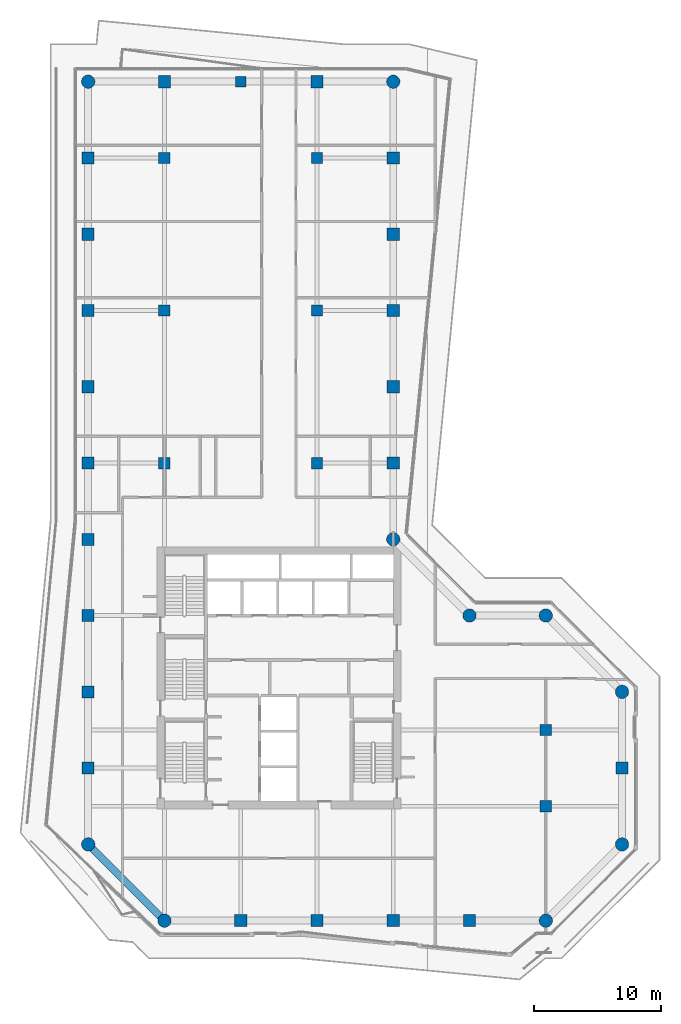
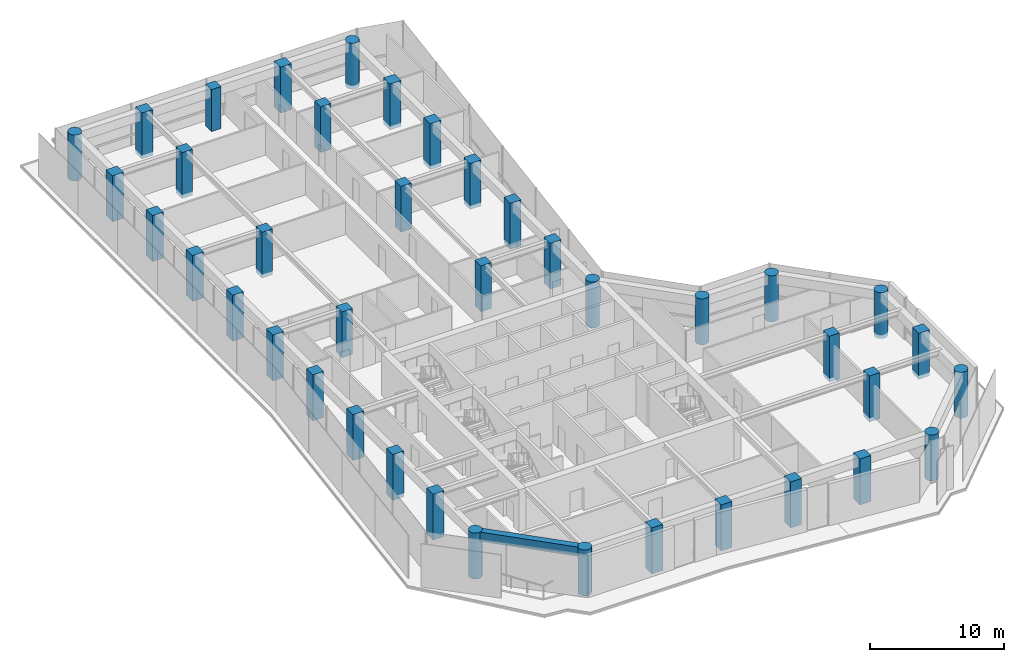
# One storey, part 1 of 23: 40 columns, 1 beam.
"""IFC4 building model written with IfcOpenShell, lengths in metres."""

from ifc_helpers import new_model, si_unit, direction, frame, origin, origin_2d, place, context, subcontext, project, spatial, rectangle, circle, extrude, material, material_profile, profile_set, type_object, element, save


model = new_model("IFC4")

# Units and contexts
model_context = context("Model", 3, precision=1e-05, world=origin(), true_north=direction((0.0, 1.0)))
body_context = subcontext(model_context, "Body", "Model", "MODEL_VIEW")
ifc_project = project(units=[si_unit("LENGTHUNIT", "METRE"), si_unit("AREAUNIT", "SQUARE_METRE"), si_unit("VOLUMEUNIT", "CUBIC_METRE"), si_unit("PLANEANGLEUNIT", "RADIAN"), si_unit("MASSUNIT", "GRAM", prefix="KILO")], contexts=[model_context])

# Site, building, storey
site_placement = place(None, origin())
site = spatial("IfcSite", under=ifc_project, at=site_placement, CompositionType="ELEMENT")
building_placement = place(site_placement, origin())
building = spatial("IfcBuilding", under=site, at=building_placement, Name="Welwitschia Terrace Campus", CompositionType="ELEMENT")
storey_placement = place(building_placement, frame((0.0, 0.0, 146.60009765625)))
storey = spatial("IfcBuildingStorey", under=building, at=storey_placement, Name="L32", CompositionType="ELEMENT", Elevation=146.60009765625)

# Columns
ifc_material_1 = material(Name="Concrete C50/60", Category="concrete")
ifc_material_profile_1 = material_profile(ifc_material_1, circle(Radius=0.52490234375, at=origin_2d()))
ifc_profile_set_1 = profile_set([ifc_material_profile_1], Name="Concrete C50/60")
column_type_1 = type_object("IfcColumnType", Name="Corner column 1050 dia on truss", PredefinedType="COLUMN", material=ifc_profile_set_1)
for number, where, z_axis, x_axis, name in (
    (1, (0.0, 2.0, -0.35009765625), (0.0, 0.0, 1.0), (1.0, 0.0, 0.0), "Column C20"),
    (2, (0.0, 62.0, -0.35009765625), (0.0, 0.0, 1.0), (1.0, 0.0, 0.0), "Column C20"),
    (3, (6.0, -4.0, -0.35009765625), (0.0, 0.0, 1.0), (1.0, 0.0, 0.0), "Column C20"),
    (4, (24.0, 26.0, -0.35009765625), (0.0, 0.0, 1.0), (1.0, 0.0, 0.0), "Column C20"),
    (5, (24.0, 62.0, -0.35009765625), (0.0, 0.0, 1.0), (1.0, 0.0, 0.0), "Column C20"),
    (6, (30.0, 20.0, -0.35009765625), (0.0, 0.0, 1.0), (1.0, 0.0, 0.0), "Column C20"),
    (7, (36.0, -4.0, -0.35009765625), (0.0, 0.0, 1.0), (1.0, 0.0, 0.0), "Column C20"),
    (8, (36.0, 20.0, -0.35009765625), (0.0, 0.0, 1.0), (1.0, 0.0, 0.0), "Column C20"),
    (9, (42.0, 2.0, -0.35009765625), (0.0, 0.0, 1.0), (1.0, 0.0, 0.0), "Column C20"),
    (10, (42.0, 14.0, -0.35009765625), (0.0, 0.0, 1.0), (1.0, 0.0, 0.0), "Column C20"),
):
    element("IfcColumn", number, at=place(storey_placement, frame(where, z_axis=z_axis, x_axis=x_axis)), inside=storey, type_object=column_type_1, Name=name, PredefinedType="COLUMN", context=body_context, shape_type="SweptSolid", body=[
        extrude(circle(Radius=0.52490234375, at=origin_2d()), origin(), (0.0, 0.0, 1.0), 4.199951171875),
    ])
ifc_material_2 = material(Name="Concrete C50/60", Category="concrete")
ifc_material_profile_2 = material_profile(ifc_material_2, rectangle(XDim=0.89990234375, YDim=0.89990234375, at=origin_2d()))
ifc_profile_set_2 = profile_set([ifc_material_profile_2], Name="Concrete C50/60")
column_type_2 = type_object("IfcColumnType", Name="Interior column 900x900 on truss", PredefinedType="COLUMN", material=ifc_profile_set_2)
for number, where, z_axis, x_axis, name in (
    (11, (6.0, 32.0, -0.35009765625), (0.0, 0.0, 1.0), (1.0, 0.0, 0.0), "Column C22"),
    (12, (6.0, 44.0, -0.35009765625), (0.0, 0.0, 1.0), (1.0, 0.0, 0.0), "Column C22"),
    (13, (6.0, 56.0, -0.35009765625), (0.0, 0.0, 1.0), (1.0, 0.0, 0.0), "Column C22"),
    (14, (18.0, 32.0, -0.35009765625), (0.0, 0.0, 1.0), (1.0, 0.0, 0.0), "Column C22"),
    (15, (18.0, 44.0, -0.35009765625), (0.0, 0.0, 1.0), (1.0, 0.0, 0.0), "Column C22"),
    (16, (18.0, 56.0, -0.35009765625), (0.0, 0.0, 1.0), (1.0, 0.0, 0.0), "Column C22"),
    (17, (36.0, 5.0, -0.35009765625), (0.0, 0.0, 1.0), (1.0, 0.0, 0.0), "Column C22"),
    (18, (36.0, 11.0, -0.35009765625), (0.0, 0.0, 1.0), (1.0, 0.0, 0.0), "Column C22"),
):
    element("IfcColumn", number, at=place(storey_placement, frame(where, z_axis=z_axis, x_axis=x_axis)), inside=storey, type_object=column_type_2, Name=name, PredefinedType="COLUMN", context=body_context, shape_type="SweptSolid", body=[
        extrude(rectangle(XDim=0.89990234375, YDim=0.89990234375, at=origin_2d()), origin(), (0.0, 0.0, 1.0), 4.199951171875),
    ])
ifc_material_3 = material(Name="Concrete C50/60", Category="concrete")
ifc_material_profile_3 = material_profile(ifc_material_3, rectangle(XDim=0.85009765625, YDim=0.85009765625, at=origin_2d()))
ifc_profile_set_3 = profile_set([ifc_material_profile_3], Name="Concrete C50/60")
column_type_3 = type_object("IfcColumnType", Name="Ring column 850x850", PredefinedType="COLUMN", material=ifc_profile_set_3)
column_placement = place(storey_placement, frame((12.0, 62.0, 0.0), z_axis=(0.0, 0.0, 1.0), x_axis=(1.0, 0.0, 0.0)))
element("IfcColumn", 19, at=column_placement, inside=storey, type_object=column_type_3, Name="Column C23", PredefinedType="COLUMN", context=body_context, shape_type="SweptSolid", body=[
    extrude(rectangle(XDim=0.85009765625, YDim=0.85009765625, at=origin_2d()), origin(), (0.0, 0.0, 1.0), 3.849853515625),
])
ifc_material_4 = material(Name="Concrete C50/60", Category="concrete")
ifc_material_profile_4 = material_profile(ifc_material_4, rectangle(XDim=0.949951171875, YDim=0.949951171875, at=origin_2d()))
ifc_profile_set_4 = profile_set([ifc_material_profile_4], Name="Concrete C50/60")
column_type_4 = type_object("IfcColumnType", Name="Ring column 950x950 on truss", PredefinedType="COLUMN", material=ifc_profile_set_4)
for number, where, z_axis, x_axis, name in (
    (20, (0.0, 8.0, -0.35009765625), (0.0, 0.0, 1.0), (1.0, 0.0, 0.0), "Column C21"),
    (21, (0.0, 14.0, -0.35009765625), (0.0, 0.0, 1.0), (1.0, 0.0, 0.0), "Column C21"),
    (22, (0.0, 20.0, -0.35009765625), (0.0, 0.0, 1.0), (1.0, 0.0, 0.0), "Column C21"),
    (23, (0.0, 26.0, -0.35009765625), (0.0, 0.0, 1.0), (1.0, 0.0, 0.0), "Column C21"),
    (24, (0.0, 32.0, -0.35009765625), (0.0, 0.0, 1.0), (1.0, 0.0, 0.0), "Column C21"),
    (25, (0.0, 38.0, -0.35009765625), (0.0, 0.0, 1.0), (1.0, 0.0, 0.0), "Column C21"),
    (26, (0.0, 44.0, -0.35009765625), (0.0, 0.0, 1.0), (1.0, 0.0, 0.0), "Column C21"),
    (27, (0.0, 50.0, -0.35009765625), (0.0, 0.0, 1.0), (1.0, 0.0, 0.0), "Column C21"),
    (28, (0.0, 56.0, -0.35009765625), (0.0, 0.0, 1.0), (1.0, 0.0, 0.0), "Column C21"),
    (29, (6.0, 62.0, -0.35009765625), (0.0, 0.0, 1.0), (1.0, 0.0, 0.0), "Column C21"),
    (30, (12.0, -4.0, -0.35009765625), (0.0, 0.0, 1.0), (1.0, 0.0, 0.0), "Column C21"),
    (31, (18.0, -4.0, -0.35009765625), (0.0, 0.0, 1.0), (1.0, 0.0, 0.0), "Column C21"),
    (32, (18.0, 62.0, -0.35009765625), (0.0, 0.0, 1.0), (1.0, 0.0, 0.0), "Column C21"),
    (33, (24.0, -4.0, -0.35009765625), (0.0, 0.0, 1.0), (1.0, 0.0, 0.0), "Column C21"),
    (34, (24.0, 32.0, -0.35009765625), (0.0, 0.0, 1.0), (1.0, 0.0, 0.0), "Column C21"),
    (35, (24.0, 38.0, -0.35009765625), (0.0, 0.0, 1.0), (1.0, 0.0, 0.0), "Column C21"),
    (36, (24.0, 44.0, -0.35009765625), (0.0, 0.0, 1.0), (1.0, 0.0, 0.0), "Column C21"),
    (37, (24.0, 50.0, -0.35009765625), (0.0, 0.0, 1.0), (1.0, 0.0, 0.0), "Column C21"),
    (38, (24.0, 56.0, -0.35009765625), (0.0, 0.0, 1.0), (1.0, 0.0, 0.0), "Column C21"),
    (39, (30.0, -4.0, -0.35009765625), (0.0, 0.0, 1.0), (1.0, 0.0, 0.0), "Column C21"),
    (40, (42.0, 8.0, -0.35009765625), (0.0, 0.0, 1.0), (1.0, 0.0, 0.0), "Column C21"),
):
    element("IfcColumn", number, at=place(storey_placement, frame(where, z_axis=z_axis, x_axis=x_axis)), inside=storey, type_object=column_type_4, Name=name, PredefinedType="COLUMN", context=body_context, shape_type="SweptSolid", body=[
        extrude(rectangle(XDim=0.949951171875, YDim=0.949951171875, at=origin_2d()), origin(), (0.0, 0.0, 1.0), 4.199951171875),
    ])

# Beam
ifc_material_5 = material(Name="Concrete C50/60", Category="concrete")
ifc_material_profile_5 = material_profile(ifc_material_5, rectangle(XDim=0.550048828125, YDim=0.85009765625, at=origin_2d()))
ifc_profile_set_5 = profile_set([ifc_material_profile_5], Name="Concrete C50/60")
beam_type = type_object("IfcBeamType", Name="Ring spandrel 550x850", PredefinedType="SPANDREL", material=ifc_profile_set_5)
beam_placement = place(storey_placement, frame((0.31689453125, 1.68310546875, 3.4248046875), z_axis=(0.707106781187, -0.707106781187, 0.0), x_axis=(0.707106781187, 0.707106781187, 0.0)))
element("IfcBeam", 41, at=beam_placement, inside=storey, type_object=beam_type, Name="Spandrel SP3", PredefinedType="SPANDREL", context=body_context, shape_type="SweptSolid", body=[
    extrude(rectangle(XDim=0.550048828125, YDim=0.85009765625, at=origin_2d()), origin(), (0.0, 0.0, 1.0), 7.5888671875),
])

save(model, "model.ifc")
